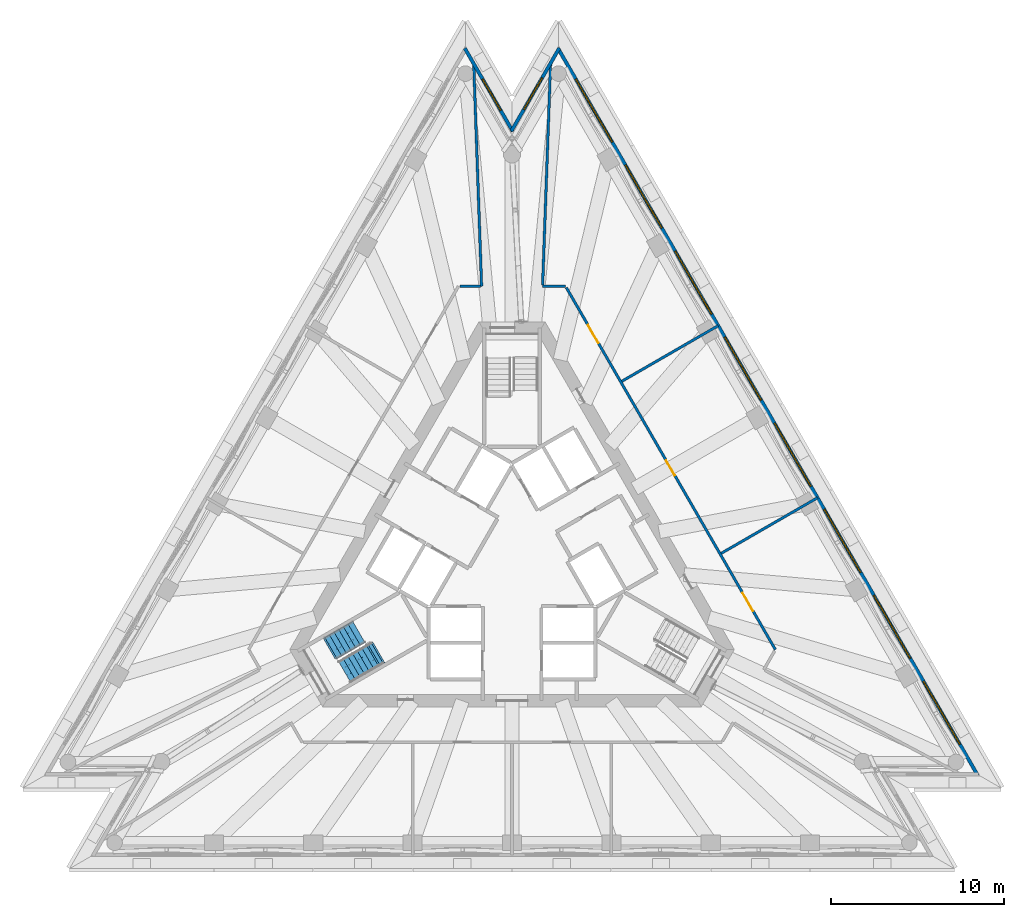
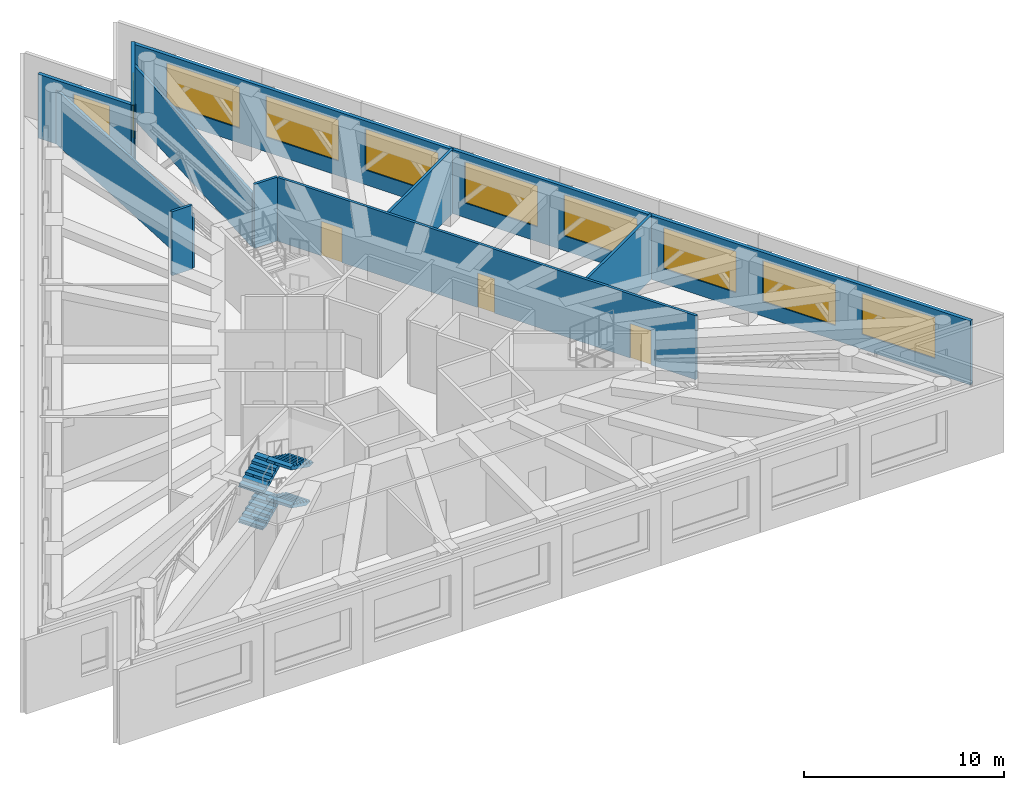
# One storey, part 9 of 12: 10 walls, 10 windows, 4 stair flights, 3 doors, 13 openings, 1 element without a shape of its own.
"""IFC4 building model written with IfcOpenShell, lengths in metres."""

from ifc_helpers import new_model, si_unit, direction, frame, frame_2d, origin, place, context, subcontext, project, spatial, polyline, rectangle, outline, extrude, material, layer, layer_set, layer_usage, type_object, element, fill, aggregate, save


model = new_model("IFC4")

# Units and contexts
model_context = context("Model", 3, precision=1e-05, world=origin(), true_north=direction((0.0, 1.0)))
body_context = subcontext(model_context, "Body", "Model", "MODEL_VIEW")
ifc_project = project(units=[si_unit("LENGTHUNIT", "METRE"), si_unit("AREAUNIT", "SQUARE_METRE"), si_unit("VOLUMEUNIT", "CUBIC_METRE"), si_unit("PLANEANGLEUNIT", "RADIAN"), si_unit("MASSUNIT", "GRAM", prefix="KILO")], contexts=[model_context])

# Site, building, storey
site_placement = place(None, origin())
site = spatial("IfcSite", under=ifc_project, at=site_placement, CompositionType="ELEMENT")
building_placement = place(site_placement, origin())
building = spatial("IfcBuilding", under=site, at=building_placement, Name="Triada Interchange Tower", CompositionType="ELEMENT")
storey_placement = place(building_placement, frame((0.0, 0.0, 251.300048828125)))
storey = spatial("IfcBuildingStorey", under=building, at=storey_placement, Name="L59", CompositionType="ELEMENT", Elevation=251.300048828125)

# Wall, openings, windows
ifc_material_1 = material(Name="Cement board")
ifc_layer_1 = layer(ifc_material_1, 0.02001953125, Name="Cement board cladding")
ifc_material_2 = material(Name="Sheathing board")
ifc_layer_2 = layer(ifc_material_2, 0.014892578125, Name="Sheathing board")
ifc_material_3 = material(Name="Mineral wool")
ifc_layer_3 = layer(ifc_material_3, 0.14990234375, Name="Mineral wool between steel studs")
ifc_material_4 = material(Name="Gypsum board")
ifc_layer_4 = layer(ifc_material_4, 0.014892578125, Name="Plasterboard lining")
ifc_layer_set_1 = layer_set([ifc_layer_1, ifc_layer_2, ifc_layer_3, ifc_layer_4], Name="External wall 200")
ifc_layer_usage = layer_usage(ifc_layer_set_1, "AXIS2", "POSITIVE", -0.10009765625)
wall_type_1 = type_object("IfcWallType", Name="External wall 200", PredefinedType="ELEMENTEDWALL", material=ifc_layer_set_1)
wall_1_placement = place(storey_placement, frame((26.85888671875, -12.45703125, 0.0), z_axis=(0.0, 0.0, 1.0), x_axis=(-0.500004868955, 0.866022592674, 0.0)))
wall_1 = element("IfcWall", 1, at=wall_1_placement, inside=storey, type_object=wall_type_1, material=ifc_layer_usage, Name="External wall L59 NE", PredefinedType="ELEMENTEDWALL", context=body_context, shape_type="SweptSolid", body=[
    extrude(rectangle(XDim=48.41552734375, YDim=0.199951171875, at=frame_2d((24.207763671875, 0.0))), origin(), (0.0, 0.0, 1.0), 3.89990234375),
])
opening_1_placement = place(wall_1_placement, frame((2.06689453125, 0.0, 0.89990234375)))
opening_1 = element("IfcOpeningElement", 2, at=opening_1_placement, cuts=wall_1, Name="Opening WC21", PredefinedType="OPENING", context=body_context, shape_type="SweptSolid", body=[
    extrude(rectangle(XDim=4.199951171875, YDim=2.5, at=frame_2d((2.10009765625, 1.25))), frame((0.0, 0.10986328125, 0.0), z_axis=(0.0, -1.0, 0.0), x_axis=(1.0, 0.0, 0.0)), (0.0, 0.0, 1.0), 0.219970703125),
])
opening_2_placement = place(wall_1_placement, frame((7.7958984375, 0.0, 0.89990234375)))
opening_2 = element("IfcOpeningElement", 3, at=opening_2_placement, cuts=wall_1, Name="Opening WC22", PredefinedType="OPENING", context=body_context, shape_type="SweptSolid", body=[
    extrude(rectangle(XDim=4.199951171875, YDim=2.5, at=frame_2d((2.10009765625, 1.25))), frame((0.0, 0.10986328125, 0.0), z_axis=(0.0, -1.0, 0.0), x_axis=(1.0, 0.0, 0.0)), (0.0, 0.0, 1.0), 0.219970703125),
])
opening_3_placement = place(wall_1_placement, frame((13.52490234375, 0.0, 0.89990234375)))
opening_3 = element("IfcOpeningElement", 4, at=opening_3_placement, cuts=wall_1, Name="Opening WC23", PredefinedType="OPENING", context=body_context, shape_type="SweptSolid", body=[
    extrude(rectangle(XDim=4.199951171875, YDim=2.5, at=frame_2d((2.10009765625, 1.25))), frame((0.0, 0.10986328125, 0.0), z_axis=(0.0, -1.0, 0.0), x_axis=(1.0, 0.0, 0.0)), (0.0, 0.0, 1.0), 0.219970703125),
])
opening_4_placement = place(wall_1_placement, frame((19.2529296875, 0.0, 0.89990234375)))
opening_4 = element("IfcOpeningElement", 5, at=opening_4_placement, cuts=wall_1, Name="Opening WC24", PredefinedType="OPENING", context=body_context, shape_type="SweptSolid", body=[
    extrude(rectangle(XDim=4.199951171875, YDim=2.5, at=frame_2d((2.10009765625, 1.25))), frame((0.0, 0.10986328125, 0.0), z_axis=(0.0, -1.0, 0.0), x_axis=(1.0, 0.0, 0.0)), (0.0, 0.0, 1.0), 0.219970703125),
])
opening_5_placement = place(wall_1_placement, frame((24.98193359375, 0.0, 0.89990234375)))
opening_5 = element("IfcOpeningElement", 6, at=opening_5_placement, cuts=wall_1, Name="Opening WC25", PredefinedType="OPENING", context=body_context, shape_type="SweptSolid", body=[
    extrude(rectangle(XDim=4.199951171875, YDim=2.5, at=frame_2d((2.10009765625, 1.25))), frame((0.0, 0.10986328125, 0.0), z_axis=(0.0, -1.0, 0.0), x_axis=(1.0, 0.0, 0.0)), (0.0, 0.0, 1.0), 0.219970703125),
])
opening_6_placement = place(wall_1_placement, frame((30.7109375, 0.0, 0.89990234375)))
opening_6 = element("IfcOpeningElement", 7, at=opening_6_placement, cuts=wall_1, Name="Opening WC26", PredefinedType="OPENING", context=body_context, shape_type="SweptSolid", body=[
    extrude(rectangle(XDim=4.199951171875, YDim=2.5, at=frame_2d((2.10009765625, 1.25))), frame((0.0, 0.10986328125, 0.0), z_axis=(0.0, -1.0, 0.0), x_axis=(1.0, 0.0, 0.0)), (0.0, 0.0, 1.0), 0.219970703125),
])
opening_7_placement = place(wall_1_placement, frame((36.43994140625, 0.0, 0.89990234375)))
opening_7 = element("IfcOpeningElement", 8, at=opening_7_placement, cuts=wall_1, Name="Opening WC27", PredefinedType="OPENING", context=body_context, shape_type="SweptSolid", body=[
    extrude(rectangle(XDim=4.199951171875, YDim=2.5, at=frame_2d((2.10009765625, 1.25))), frame((0.0, 0.10986328125, 0.0), z_axis=(0.0, -1.0, 0.0), x_axis=(1.0, 0.0, 0.0)), (0.0, 0.0, 1.0), 0.219970703125),
])
opening_8_placement = place(wall_1_placement, frame((42.16796875, 0.0, 0.89990234375)))
opening_8 = element("IfcOpeningElement", 9, at=opening_8_placement, cuts=wall_1, Name="Opening WC28", PredefinedType="OPENING", context=body_context, shape_type="SweptSolid", body=[
    extrude(rectangle(XDim=4.199951171875, YDim=2.5, at=frame_2d((2.10009765625, 1.25))), frame((0.0, 0.10986328125, 0.0), z_axis=(0.0, -1.0, 0.0), x_axis=(1.0, 0.0, 0.0)), (0.0, 0.0, 1.0), 0.219970703125),
])
ifc_material_5 = material(Name="Double glazed aluminium window", Category="aluminium")
window_type_1 = type_object("IfcWindowType", Name="Ribbon window C face", PartitioningType="SINGLE_PANEL", PredefinedType="WINDOW", material=ifc_material_5)
window_1_placement = place(opening_1_placement, origin())
window_1 = element("IfcWindow", 10, at=window_1_placement, inside=storey, type_object=window_type_1, Name="Window L59 NE 1", OverallHeight=2.5, OverallWidth=4.199951171875, PartitioningType="SINGLE_PANEL", PredefinedType="WINDOW", context=body_context, shape_type="SweptSolid", body=[
    extrude(rectangle(XDim=4.199951171875, YDim=2.5, at=frame_2d((2.10009765625, 1.25))), frame((0.0, 0.030029296875, 0.0), z_axis=(0.0, -1.0, 0.0), x_axis=(1.0, 0.0, 0.0)), (0.0, 0.0, 1.0), 0.06005859375),
])
fill(opening_1, window_1)
window_2_placement = place(opening_2_placement, origin())
window_2 = element("IfcWindow", 11, at=window_2_placement, inside=storey, type_object=window_type_1, Name="Window L59 NE 2", OverallHeight=2.5, OverallWidth=4.199951171875, PartitioningType="SINGLE_PANEL", PredefinedType="WINDOW", context=body_context, shape_type="SweptSolid", body=[
    extrude(rectangle(XDim=4.199951171875, YDim=2.5, at=frame_2d((2.10009765625, 1.25))), frame((0.0, 0.030029296875, 0.0), z_axis=(0.0, -1.0, 0.0), x_axis=(1.0, 0.0, 0.0)), (0.0, 0.0, 1.0), 0.06005859375),
])
fill(opening_2, window_2)
window_3_placement = place(opening_3_placement, origin())
window_3 = element("IfcWindow", 12, at=window_3_placement, inside=storey, type_object=window_type_1, Name="Window L59 NE 3", OverallHeight=2.5, OverallWidth=4.199951171875, PartitioningType="SINGLE_PANEL", PredefinedType="WINDOW", context=body_context, shape_type="SweptSolid", body=[
    extrude(rectangle(XDim=4.199951171875, YDim=2.5, at=frame_2d((2.10009765625, 1.25))), frame((0.0, 0.030029296875, 0.0), z_axis=(0.0, -1.0, 0.0), x_axis=(1.0, 0.0, 0.0)), (0.0, 0.0, 1.0), 0.06005859375),
])
fill(opening_3, window_3)
window_4_placement = place(opening_4_placement, origin())
window_4 = element("IfcWindow", 13, at=window_4_placement, inside=storey, type_object=window_type_1, Name="Window L59 NE 4", OverallHeight=2.5, OverallWidth=4.199951171875, PartitioningType="SINGLE_PANEL", PredefinedType="WINDOW", context=body_context, shape_type="SweptSolid", body=[
    extrude(rectangle(XDim=4.199951171875, YDim=2.5, at=frame_2d((2.10009765625, 1.25))), frame((0.0, 0.030029296875, 0.0), z_axis=(0.0, -1.0, 0.0), x_axis=(1.0, 0.0, 0.0)), (0.0, 0.0, 1.0), 0.06005859375),
])
fill(opening_4, window_4)
window_5_placement = place(opening_5_placement, origin())
window_5 = element("IfcWindow", 14, at=window_5_placement, inside=storey, type_object=window_type_1, Name="Window L59 NE 5", OverallHeight=2.5, OverallWidth=4.199951171875, PartitioningType="SINGLE_PANEL", PredefinedType="WINDOW", context=body_context, shape_type="SweptSolid", body=[
    extrude(rectangle(XDim=4.199951171875, YDim=2.5, at=frame_2d((2.10009765625, 1.25))), frame((0.0, 0.030029296875, 0.0), z_axis=(0.0, -1.0, 0.0), x_axis=(1.0, 0.0, 0.0)), (0.0, 0.0, 1.0), 0.06005859375),
])
fill(opening_5, window_5)
window_6_placement = place(opening_6_placement, origin())
window_6 = element("IfcWindow", 15, at=window_6_placement, inside=storey, type_object=window_type_1, Name="Window L59 NE 6", OverallHeight=2.5, OverallWidth=4.199951171875, PartitioningType="SINGLE_PANEL", PredefinedType="WINDOW", context=body_context, shape_type="SweptSolid", body=[
    extrude(rectangle(XDim=4.199951171875, YDim=2.5, at=frame_2d((2.10009765625, 1.25))), frame((0.0, 0.030029296875, 0.0), z_axis=(0.0, -1.0, 0.0), x_axis=(1.0, 0.0, 0.0)), (0.0, 0.0, 1.0), 0.06005859375),
])
fill(opening_6, window_6)
window_7_placement = place(opening_7_placement, origin())
window_7 = element("IfcWindow", 16, at=window_7_placement, inside=storey, type_object=window_type_1, Name="Window L59 NE 7", OverallHeight=2.5, OverallWidth=4.199951171875, PartitioningType="SINGLE_PANEL", PredefinedType="WINDOW", context=body_context, shape_type="SweptSolid", body=[
    extrude(rectangle(XDim=4.199951171875, YDim=2.5, at=frame_2d((2.10009765625, 1.25))), frame((0.0, 0.030029296875, 0.0), z_axis=(0.0, -1.0, 0.0), x_axis=(1.0, 0.0, 0.0)), (0.0, 0.0, 1.0), 0.06005859375),
])
fill(opening_7, window_7)
window_8_placement = place(opening_8_placement, origin())
window_8 = element("IfcWindow", 17, at=window_8_placement, inside=storey, type_object=window_type_1, Name="Window L59 NE 8", OverallHeight=2.5, OverallWidth=4.199951171875, PartitioningType="SINGLE_PANEL", PredefinedType="WINDOW", context=body_context, shape_type="SweptSolid", body=[
    extrude(rectangle(XDim=4.199951171875, YDim=2.5, at=frame_2d((2.10009765625, 1.25))), frame((0.0, 0.030029296875, 0.0), z_axis=(0.0, -1.0, 0.0), x_axis=(1.0, 0.0, 0.0)), (0.0, 0.0, 1.0), 0.06005859375),
])
fill(opening_8, window_8)

# Wall, opening, window
wall_2_placement = place(storey_placement, frame((2.73095703125, 29.489013671875, 0.0), z_axis=(0.0, 0.0, 1.0), x_axis=(-0.499969493036, -0.866043016272, 0.0)))
wall_2 = element("IfcWall", 18, at=wall_2_placement, inside=storey, type_object=wall_type_1, material=ifc_layer_usage, Name="External wall L59 N-1", PredefinedType="ELEMENTEDWALL", context=body_context, shape_type="SweptSolid", body=[
    extrude(rectangle(XDim=5.531982421875, YDim=0.199951171875, at=frame_2d((2.76611328125, 0.0))), origin(), (0.0, 0.0, 1.0), 3.89990234375),
])
opening_9_placement = place(wall_2_placement, frame((1.989990234375, 0.0, 0.89990234375)))
opening_9 = element("IfcOpeningElement", 19, at=opening_9_placement, cuts=wall_2, Name="Opening WC29", PredefinedType="OPENING", context=body_context, shape_type="SweptSolid", body=[
    extrude(rectangle(XDim=2.10009765625, YDim=2.5, at=frame_2d((1.050048828125, 1.25))), frame((0.0, 0.10986328125, 0.0), z_axis=(0.0, -1.0, 0.0), x_axis=(1.0, 0.0, 0.0)), (0.0, 0.0, 1.0), 0.219970703125),
])
window_type_2 = type_object("IfcWindowType", Name="Ribbon window C pocket", PartitioningType="SINGLE_PANEL", PredefinedType="WINDOW", material=ifc_material_5)
window_9_placement = place(opening_9_placement, origin())
window_9 = element("IfcWindow", 20, at=window_9_placement, inside=storey, type_object=window_type_2, Name="Window L59 N-1 1", OverallHeight=2.5, OverallWidth=2.10009765625, PartitioningType="SINGLE_PANEL", PredefinedType="WINDOW", context=body_context, shape_type="SweptSolid", body=[
    extrude(rectangle(XDim=2.10009765625, YDim=2.5, at=frame_2d((1.050048828125, 1.25))), frame((0.0, 0.030029296875, 0.0), z_axis=(0.0, -1.0, 0.0), x_axis=(1.0, 0.0, 0.0)), (0.0, 0.0, 1.0), 0.06005859375),
])
fill(opening_9, window_9)

wall_3_placement = place(storey_placement, frame((0.044921875, 24.680908203125, 0.0), z_axis=(0.0, 0.0, 1.0), x_axis=(-0.499969493036, 0.866043016272, 0.0)))
wall_3 = element("IfcWall", 21, at=wall_3_placement, inside=storey, type_object=wall_type_1, material=ifc_layer_usage, Name="External wall L59 N-2", PredefinedType="ELEMENTEDWALL", context=body_context, shape_type="SweptSolid", body=[
    extrude(rectangle(XDim=5.531982421875, YDim=0.199951171875, at=frame_2d((2.76611328125, 0.0))), origin(), (0.0, 0.0, 1.0), 3.89990234375),
])
opening_10_placement = place(wall_3_placement, frame((1.389892578125, 0.0, 0.89990234375)))
opening_10 = element("IfcOpeningElement", 22, at=opening_10_placement, cuts=wall_3, Name="Opening WC30", PredefinedType="OPENING", context=body_context, shape_type="SweptSolid", body=[
    extrude(rectangle(XDim=2.10009765625, YDim=2.5, at=frame_2d((1.050048828125, 1.25))), frame((0.0, 0.10986328125, 0.0), z_axis=(0.0, -1.0, 0.0), x_axis=(1.0, 0.0, 0.0)), (0.0, 0.0, 1.0), 0.219970703125),
])
window_10_placement = place(opening_10_placement, origin())
window_10 = element("IfcWindow", 23, at=window_10_placement, inside=storey, type_object=window_type_2, Name="Window L59 N-2 1", OverallHeight=2.5, OverallWidth=2.10009765625, PartitioningType="SINGLE_PANEL", PredefinedType="WINDOW", context=body_context, shape_type="SweptSolid", body=[
    extrude(rectangle(XDim=2.10009765625, YDim=2.5, at=frame_2d((1.050048828125, 1.25))), frame((0.0, 0.030029296875, 0.0), z_axis=(0.0, -1.0, 0.0), x_axis=(1.0, 0.0, 0.0)), (0.0, 0.0, 1.0), 0.06005859375),
])
fill(opening_10, window_10)

# Walls
ifc_material_6 = material(Name="Gypsum board partition")
ifc_layer_5 = layer(ifc_material_6, 0.14990234375)
ifc_layer_set_2 = layer_set([ifc_layer_5], Name="PARTITION 150 EI 180")
wall_type_2 = type_object("IfcWallType", Name="PARTITION 150 EI 180", PredefinedType="PARTITIONING", material=ifc_layer_set_2)
wall_4_placement = place(storey_placement, frame((-2.2060546875, 28.5791015625, 0.0), z_axis=(0.0, 0.0, 1.0), x_axis=(0.035222098869, -0.999379509371, 0.0)))
element("IfcWall", 24, at=wall_4_placement, inside=storey, type_object=wall_type_2, Name="Wall L59 9", PredefinedType="PARTITIONING", context=body_context, shape_type="SweptSolid", body=[
    extrude(rectangle(XDim=12.837158203125, YDim=0.14990234375, at=frame_2d((6.41845703125, 0.0))), origin(), (0.0, 0.0, 1.0), 3.300048828125),
])
wall_5_placement = place(storey_placement, frame((-3.001953125, 15.75, 0.0), z_axis=(0.0, 0.0, 1.0), x_axis=(1.0, 0.0, 0.0)))
element("IfcWall", 25, at=wall_5_placement, inside=storey, type_object=wall_type_2, Name="Wall L59 10", PredefinedType="PARTITIONING", context=body_context, shape_type="SweptSolid", body=[
    extrude(rectangle(XDim=1.1728515625, YDim=0.14990234375, at=frame_2d((0.58642578125, 0.0))), origin(), (0.0, 0.0, 1.0), 3.89990234375),
])
wall_6_placement = place(storey_placement, frame((1.762939453125, 15.75, 0.0), z_axis=(0.0, 0.0, 1.0), x_axis=(1.0, 0.0, 0.0)))
element("IfcWall", 26, at=wall_6_placement, inside=storey, type_object=wall_type_2, Name="Wall L59 11", PredefinedType="PARTITIONING", context=body_context, shape_type="SweptSolid", body=[
    extrude(rectangle(XDim=1.326171875, YDim=0.14990234375, at=frame_2d((0.6630859375, 0.0))), origin(), (0.0, 0.0, 1.0), 3.89990234375),
])

# Wall, openings, doors
wall_7_placement = place(storey_placement, frame((3.132080078125, 15.675048828125, 0.0), z_axis=(0.0, 0.0, 1.0), x_axis=(0.499994246357, -0.866028725626, 0.0)))
wall_7 = element("IfcWall", 27, at=wall_7_placement, inside=storey, type_object=wall_type_2, Name="Wall L59 14", PredefinedType="PARTITIONING", context=body_context, shape_type="SweptSolid", body=[
    extrude(rectangle(XDim=24.104248046875, YDim=0.14990234375, at=frame_2d((12.05224609375, 0.0))), origin(), (0.0, 0.0, 1.0), 3.89990234375),
])
opening_11_placement = place(wall_7_placement, frame((20.321044921875, 0.0, 0.0)))
opening_11 = element("IfcOpeningElement", 28, at=opening_11_placement, cuts=wall_7, Name="Opening D59-11", PredefinedType="OPENING", context=body_context, shape_type="SweptSolid", body=[
    extrude(rectangle(XDim=1.199951171875, YDim=2.10009765625, at=frame_2d((0.60009765625, 1.050048828125))), frame((0.0, 0.0849609375, 0.0), z_axis=(0.0, -1.0, 0.0), x_axis=(1.0, 0.0, 0.0)), (0.0, 0.0, 1.0), 0.169921875),
])
opening_12_placement = place(wall_7_placement, frame((11.508056640625, 0.0, 0.0)))
opening_12 = element("IfcOpeningElement", 29, at=opening_12_placement, cuts=wall_7, Name="Opening D59-12", PredefinedType="OPENING", context=body_context, shape_type="SweptSolid", body=[
    extrude(rectangle(XDim=1.0, YDim=2.10009765625, at=frame_2d((0.5, 1.050048828125))), frame((0.0, 0.0849609375, 0.0), z_axis=(0.0, -1.0, 0.0), x_axis=(1.0, 0.0, 0.0)), (0.0, 0.0, 1.0), 0.169921875),
])
opening_13_placement = place(wall_7_placement, frame((2.4970703125, 0.0, 0.0)))
opening_13 = element("IfcOpeningElement", 30, at=opening_13_placement, cuts=wall_7, Name="Opening D59-13", PredefinedType="OPENING", context=body_context, shape_type="SweptSolid", body=[
    extrude(rectangle(XDim=1.199951171875, YDim=2.10009765625, at=frame_2d((0.60009765625, 1.050048828125))), frame((0.0, 0.0849609375, 0.0), z_axis=(0.0, -1.0, 0.0), x_axis=(1.0, 0.0, 0.0)), (0.0, 0.0, 1.0), 0.169921875),
])
ifc_material_7 = material(Name="Steel S235 door leaf", Category="steel")
door_type_1 = type_object("IfcDoorType", Name="DOUBLE ROOM DOOR 1200 EI2 45-C5S200", OperationType="DOUBLE_DOOR_SINGLE_SWING", PredefinedType="DOOR", material=ifc_material_7)
door_1_placement = place(opening_11_placement, origin())
door_1 = element("IfcDoor", 31, at=door_1_placement, inside=storey, type_object=door_type_1, Name="Door D59-11 L59", OperationType="DOUBLE_DOOR_SINGLE_SWING", OverallHeight=2.10009765625, OverallWidth=1.199951171875, PredefinedType="DOOR", context=body_context, shape_type="SweptSolid", body=[
    extrude(rectangle(XDim=1.199951171875, YDim=2.10009765625, at=frame_2d((0.60009765625, 1.050048828125))), frame((0.0, 0.02490234375, 0.0), z_axis=(0.0, -1.0, 0.0), x_axis=(1.0, 0.0, 0.0)), (0.0, 0.0, 1.0), 0.050048828125),
])
fill(opening_11, door_1)
door_2_placement = place(opening_13_placement, origin())
door_2 = element("IfcDoor", 32, at=door_2_placement, inside=storey, type_object=door_type_1, Name="Door D59-13 L59", OperationType="DOUBLE_DOOR_SINGLE_SWING", OverallHeight=2.10009765625, OverallWidth=1.199951171875, PredefinedType="DOOR", context=body_context, shape_type="SweptSolid", body=[
    extrude(rectangle(XDim=1.199951171875, YDim=2.10009765625, at=frame_2d((0.60009765625, 1.050048828125))), frame((0.0, 0.02490234375, 0.0), z_axis=(0.0, -1.0, 0.0), x_axis=(1.0, 0.0, 0.0)), (0.0, 0.0, 1.0), 0.050048828125),
])
fill(opening_13, door_2)
door_type_2 = type_object("IfcDoorType", Name="ROOM DOOR 1000 EI2 45-C5S200", OperationType="NOTDEFINED", PredefinedType="DOOR", material=ifc_material_7)
door_3_placement = place(opening_12_placement, origin())
door_3 = element("IfcDoor", 33, at=door_3_placement, inside=storey, type_object=door_type_2, Name="Door D59-12 L59", OperationType="SINGLE_SWING_LEFT", OverallHeight=2.10009765625, OverallWidth=1.0, PredefinedType="DOOR", context=body_context, shape_type="SweptSolid", body=[
    extrude(rectangle(XDim=1.0, YDim=2.10009765625, at=frame_2d((0.5, 1.050048828125))), frame((0.0, 0.02490234375, 0.0), z_axis=(0.0, -1.0, 0.0), x_axis=(1.0, 0.0, 0.0)), (0.0, 0.0, 1.0), 0.050048828125),
])
fill(opening_12, door_3)

# Walls
wall_8_placement = place(storey_placement, frame((1.76611328125, 15.824951171875, 0.0), z_axis=(0.0, 0.0, 1.0), x_axis=(0.035705144184, 0.999362368052, 0.0)))
element("IfcWall", 34, at=wall_8_placement, inside=storey, type_object=wall_type_2, Name="Wall L59 15", PredefinedType="PARTITIONING", context=body_context, shape_type="SweptSolid", body=[
    extrude(rectangle(XDim=12.793212890625, YDim=0.14990234375, at=frame_2d((6.396484375, 0.0))), origin(), (0.0, 0.0, 1.0), 3.300048828125),
])
for number, where, z_axis, x_axis, name in (
    (35, (6.3369140625, 10.27392578125, 0.0), (0.0, 0.0, 1.0), (0.866030104553, 0.499991857942, 0.0), "Wall L59 20"),
    (36, (12.06591796875, 0.35205078125, 0.0), (0.0, 0.0, 1.0), (0.866046605956, 0.499963274963, 0.0), "Wall L59 21"),
):
    element("IfcWall", number, at=place(storey_placement, frame(where, z_axis=z_axis, x_axis=x_axis)), inside=storey, type_object=wall_type_2, Name=name, PredefinedType="PARTITIONING", context=body_context, shape_type="SweptSolid", body=[
        extrude(rectangle(XDim=6.40625, YDim=0.14990234375, at=frame_2d((3.203125, 0.0))), origin(), (0.0, 0.0, 1.0), 3.89990234375),
    ])

# Stair, stair flights
ifc_material_8 = material(Name="Concrete C35/45", Category="concrete")
stair_type = type_object("IfcStairType", Name="HALF TURN STAIR 1400", PredefinedType="HALF_TURN_STAIR", material=ifc_material_8)
stair_placement = place(storey_placement, origin())
stair = element("IfcStair", 37, at=stair_placement, inside=storey, type_object=stair_type, Name="Exit stair S59-2", PredefinedType="HALF_TURN_STAIR")
stair_flight_type = type_object("IfcStairFlightType", Name="STRAIGHT STAIR FLIGHT 1400", PredefinedType="STRAIGHT", material=ifc_material_8)
stair_flight_1_placement = place(storey_placement, frame((-10.446044921875, -5.10693359375, 0.0), z_axis=(0.0, 0.0, 1.0), x_axis=(0.866025403784, 0.5, 0.0)))
stair_flight_1 = element("IfcStairFlight", 38, at=stair_flight_1_placement, type_object=stair_flight_type, Name="S59-2 flight 1", NumberOfRisers=7, NumberOfTreads=6, PredefinedType="STRAIGHT", RiserHeight=0.15517, TreadLength=0.31, context=body_context, shape_type="SweptSolid", body=[
    extrude(outline(polyline([(-0.10009765625, 0.0), (-0.10009765625, 0.02001953125), (0.0, 0.02001953125), (0.0, 0.1552734375), (0.31005859375, 0.1552734375), (0.31005859375, 0.310302734375), (0.6201171875, 0.310302734375), (0.6201171875, 0.465576171875), (0.929931640625, 0.465576171875), (0.929931640625, 0.62060546875), (1.239990234375, 0.62060546875), (1.239990234375, 0.77587890625), (1.550048828125, 0.77587890625), (1.550048828125, 0.930908203125), (1.860107421875, 0.930908203125), (1.864013671875, 0.930908203125), (1.864013671875, 1.086181640625), (1.864013671875, 0.763427734375), (0.3349609375, 0.0), (-0.10009765625, 0.0)])), frame((0.0, 0.699951171875, 0.0), z_axis=(0.0, -1.0, 0.0), x_axis=(1.0, 0.0, 0.0)), (0.0, 0.0, 1.0), 0.46533203125),
    extrude(outline(polyline([(-0.10009765625, 0.0), (-0.10009765625, 0.02001953125), (0.0, 0.02001953125), (0.0, 0.1552734375), (0.31005859375, 0.1552734375), (0.31005859375, 0.310302734375), (0.6201171875, 0.310302734375), (0.6201171875, 0.465576171875), (0.929931640625, 0.465576171875), (0.929931640625, 0.62060546875), (1.239990234375, 0.62060546875), (1.239990234375, 0.77587890625), (1.550048828125, 0.77587890625), (1.550048828125, 0.930908203125), (1.860107421875, 0.930908203125), (1.864013671875, 0.930908203125), (1.864013671875, 1.086181640625), (1.864013671875, 0.763427734375), (0.3349609375, 0.0), (-0.10009765625, 0.0)])), frame((0.0, 0.232666015625, 0.0), z_axis=(0.0, -1.0, 0.0), x_axis=(1.0, 0.0, 0.0)), (0.0, 0.0, 1.0), 0.46533203125),
    extrude(outline(polyline([(-0.10009765625, 0.0), (-0.10009765625, 0.02001953125), (0.0, 0.02001953125), (0.0, 0.1552734375), (0.31005859375, 0.1552734375), (0.31005859375, 0.310302734375), (0.6201171875, 0.310302734375), (0.6201171875, 0.465576171875), (0.929931640625, 0.465576171875), (0.929931640625, 0.62060546875), (1.239990234375, 0.62060546875), (1.239990234375, 0.77587890625), (1.550048828125, 0.77587890625), (1.550048828125, 0.930908203125), (1.860107421875, 0.930908203125), (1.864013671875, 0.930908203125), (1.864013671875, 1.086181640625), (1.864013671875, 0.763427734375), (0.3349609375, 0.0), (-0.10009765625, 0.0)])), frame((0.0, -0.234619140625, 0.0), z_axis=(0.0, -1.0, 0.0), x_axis=(1.0, 0.0, 0.0)), (0.0, 0.0, 1.0), 0.46533203125),
])
stair_flight_2_placement = place(storey_placement, frame((-8.034912109375, -5.56298828125, 1.086181640625), z_axis=(0.0, 0.0, 1.0), x_axis=(-0.866025403784, -0.5, 0.0)))
stair_flight_2 = element("IfcStairFlight", 39, at=stair_flight_2_placement, type_object=stair_flight_type, Name="S59-2 flight 2", NumberOfRisers=7, NumberOfTreads=6, PredefinedType="STRAIGHT", RiserHeight=0.15517, TreadLength=0.31, context=body_context, shape_type="SweptSolid", body=[
    extrude(outline(polyline([(-0.10009765625, 0.0), (-0.10009765625, 0.02001953125), (0.0, 0.02001953125), (0.0, 0.1552734375), (0.31005859375, 0.1552734375), (0.31005859375, 0.310302734375), (0.6201171875, 0.310302734375), (0.6201171875, 0.465576171875), (0.929931640625, 0.465576171875), (0.929931640625, 0.62060546875), (1.239990234375, 0.62060546875), (1.239990234375, 0.77587890625), (1.550048828125, 0.77587890625), (1.550048828125, 0.930908203125), (1.860107421875, 0.930908203125), (1.864013671875, 0.930908203125), (1.864013671875, 1.086181640625), (1.864013671875, 0.763427734375), (0.3349609375, 0.0), (-0.10009765625, 0.0)])), frame((0.0, 0.699951171875, 0.0), z_axis=(0.0, -1.0, 0.0), x_axis=(1.0, 0.0, 0.0)), (0.0, 0.0, 1.0), 0.46533203125),
    extrude(outline(polyline([(-0.10009765625, 0.0), (-0.10009765625, 0.02001953125), (0.0, 0.02001953125), (0.0, 0.1552734375), (0.31005859375, 0.1552734375), (0.31005859375, 0.310302734375), (0.6201171875, 0.310302734375), (0.6201171875, 0.465576171875), (0.929931640625, 0.465576171875), (0.929931640625, 0.62060546875), (1.239990234375, 0.62060546875), (1.239990234375, 0.77587890625), (1.550048828125, 0.77587890625), (1.550048828125, 0.930908203125), (1.860107421875, 0.930908203125), (1.864013671875, 0.930908203125), (1.864013671875, 1.086181640625), (1.864013671875, 0.763427734375), (0.3349609375, 0.0), (-0.10009765625, 0.0)])), frame((0.0, 0.232666015625, 0.0), z_axis=(0.0, -1.0, 0.0), x_axis=(1.0, 0.0, 0.0)), (0.0, 0.0, 1.0), 0.46533203125),
    extrude(outline(polyline([(-0.10009765625, 0.0), (-0.10009765625, 0.02001953125), (0.0, 0.02001953125), (0.0, 0.1552734375), (0.31005859375, 0.1552734375), (0.31005859375, 0.310302734375), (0.6201171875, 0.310302734375), (0.6201171875, 0.465576171875), (0.929931640625, 0.465576171875), (0.929931640625, 0.62060546875), (1.239990234375, 0.62060546875), (1.239990234375, 0.77587890625), (1.550048828125, 0.77587890625), (1.550048828125, 0.930908203125), (1.860107421875, 0.930908203125), (1.864013671875, 0.930908203125), (1.864013671875, 1.086181640625), (1.864013671875, 0.763427734375), (0.3349609375, 0.0), (-0.10009765625, 0.0)])), frame((0.0, -0.234619140625, 0.0), z_axis=(0.0, -1.0, 0.0), x_axis=(1.0, 0.0, 0.0)), (0.0, 0.0, 1.0), 0.46533203125),
])
stair_flight_3_placement = place(storey_placement, frame((-10.446044921875, -5.10693359375, 2.17236328125), z_axis=(0.0, 0.0, 1.0), x_axis=(0.866025403784, 0.5, 0.0)))
stair_flight_3 = element("IfcStairFlight", 40, at=stair_flight_3_placement, type_object=stair_flight_type, Name="S59-2 flight 3", NumberOfRisers=7, NumberOfTreads=6, PredefinedType="STRAIGHT", RiserHeight=0.15517, TreadLength=0.31, context=body_context, shape_type="SweptSolid", body=[
    extrude(outline(polyline([(-0.10009765625, 0.0), (-0.10009765625, 0.02001953125), (0.0, 0.02001953125), (0.0, 0.1552734375), (0.31005859375, 0.1552734375), (0.31005859375, 0.310302734375), (0.6201171875, 0.310302734375), (0.6201171875, 0.465576171875), (0.929931640625, 0.465576171875), (0.929931640625, 0.62060546875), (1.239990234375, 0.62060546875), (1.239990234375, 0.77587890625), (1.550048828125, 0.77587890625), (1.550048828125, 0.930908203125), (1.860107421875, 0.930908203125), (1.864013671875, 0.930908203125), (1.864013671875, 1.086181640625), (1.864013671875, 0.763427734375), (0.3349609375, 0.0), (-0.10009765625, 0.0)])), frame((0.0, 0.699951171875, 0.0), z_axis=(0.0, -1.0, 0.0), x_axis=(1.0, 0.0, 0.0)), (0.0, 0.0, 1.0), 0.46533203125),
    extrude(outline(polyline([(-0.10009765625, 0.0), (-0.10009765625, 0.02001953125), (0.0, 0.02001953125), (0.0, 0.1552734375), (0.31005859375, 0.1552734375), (0.31005859375, 0.310302734375), (0.6201171875, 0.310302734375), (0.6201171875, 0.465576171875), (0.929931640625, 0.465576171875), (0.929931640625, 0.62060546875), (1.239990234375, 0.62060546875), (1.239990234375, 0.77587890625), (1.550048828125, 0.77587890625), (1.550048828125, 0.930908203125), (1.860107421875, 0.930908203125), (1.864013671875, 0.930908203125), (1.864013671875, 1.086181640625), (1.864013671875, 0.763427734375), (0.3349609375, 0.0), (-0.10009765625, 0.0)])), frame((0.0, 0.232666015625, 0.0), z_axis=(0.0, -1.0, 0.0), x_axis=(1.0, 0.0, 0.0)), (0.0, 0.0, 1.0), 0.46533203125),
    extrude(outline(polyline([(-0.10009765625, 0.0), (-0.10009765625, 0.02001953125), (0.0, 0.02001953125), (0.0, 0.1552734375), (0.31005859375, 0.1552734375), (0.31005859375, 0.310302734375), (0.6201171875, 0.310302734375), (0.6201171875, 0.465576171875), (0.929931640625, 0.465576171875), (0.929931640625, 0.62060546875), (1.239990234375, 0.62060546875), (1.239990234375, 0.77587890625), (1.550048828125, 0.77587890625), (1.550048828125, 0.930908203125), (1.860107421875, 0.930908203125), (1.864013671875, 0.930908203125), (1.864013671875, 1.086181640625), (1.864013671875, 0.763427734375), (0.3349609375, 0.0), (-0.10009765625, 0.0)])), frame((0.0, -0.234619140625, 0.0), z_axis=(0.0, -1.0, 0.0), x_axis=(1.0, 0.0, 0.0)), (0.0, 0.0, 1.0), 0.46533203125),
])
stair_flight_4_placement = place(storey_placement, frame((-7.76708984375, -5.407958984375, 3.258544921875), z_axis=(0.0, 0.0, 1.0), x_axis=(-0.866025403784, -0.5, 0.0)))
stair_flight_4 = element("IfcStairFlight", 41, at=stair_flight_4_placement, type_object=stair_flight_type, Name="S59-2 flight 4", NumberOfRisers=8, NumberOfTreads=7, PredefinedType="STRAIGHT", RiserHeight=0.15517, TreadLength=0.31, context=body_context, shape_type="SweptSolid", body=[
    extrude(outline(polyline([(-0.10009765625, 0.0), (-0.10009765625, 0.02001953125), (0.0, 0.02001953125), (0.0, 0.1552734375), (0.31005859375, 0.1552734375), (0.31005859375, 0.310302734375), (0.6201171875, 0.310302734375), (0.6201171875, 0.465576171875), (0.929931640625, 0.465576171875), (0.929931640625, 0.62060546875), (1.239990234375, 0.62060546875), (1.239990234375, 0.77587890625), (1.550048828125, 0.77587890625), (1.550048828125, 0.930908203125), (1.860107421875, 0.930908203125), (1.860107421875, 1.086181640625), (2.169921875, 1.086181640625), (2.174072265625, 1.086181640625), (2.174072265625, 1.241455078125), (2.174072265625, 0.91845703125), (0.3349609375, 0.0), (-0.10009765625, 0.0)])), frame((0.0, 0.699951171875, 0.0), z_axis=(0.0, -1.0, 0.0), x_axis=(1.0, 0.0, 0.0)), (0.0, 0.0, 1.0), 0.46533203125),
    extrude(outline(polyline([(-0.10009765625, 0.0), (-0.10009765625, 0.02001953125), (0.0, 0.02001953125), (0.0, 0.1552734375), (0.31005859375, 0.1552734375), (0.31005859375, 0.310302734375), (0.6201171875, 0.310302734375), (0.6201171875, 0.465576171875), (0.929931640625, 0.465576171875), (0.929931640625, 0.62060546875), (1.239990234375, 0.62060546875), (1.239990234375, 0.77587890625), (1.550048828125, 0.77587890625), (1.550048828125, 0.930908203125), (1.860107421875, 0.930908203125), (1.860107421875, 1.086181640625), (2.169921875, 1.086181640625), (2.174072265625, 1.086181640625), (2.174072265625, 1.241455078125), (2.174072265625, 0.91845703125), (0.3349609375, 0.0), (-0.10009765625, 0.0)])), frame((0.0, 0.232666015625, 0.0), z_axis=(0.0, -1.0, 0.0), x_axis=(1.0, 0.0, 0.0)), (0.0, 0.0, 1.0), 0.46533203125),
    extrude(outline(polyline([(-0.10009765625, 0.0), (-0.10009765625, 0.02001953125), (0.0, 0.02001953125), (0.0, 0.1552734375), (0.31005859375, 0.1552734375), (0.31005859375, 0.310302734375), (0.6201171875, 0.310302734375), (0.6201171875, 0.465576171875), (0.929931640625, 0.465576171875), (0.929931640625, 0.62060546875), (1.239990234375, 0.62060546875), (1.239990234375, 0.77587890625), (1.550048828125, 0.77587890625), (1.550048828125, 0.930908203125), (1.860107421875, 0.930908203125), (1.860107421875, 1.086181640625), (2.169921875, 1.086181640625), (2.174072265625, 1.086181640625), (2.174072265625, 1.241455078125), (2.174072265625, 0.91845703125), (0.3349609375, 0.0), (-0.10009765625, 0.0)])), frame((0.0, -0.234619140625, 0.0), z_axis=(0.0, -1.0, 0.0), x_axis=(1.0, 0.0, 0.0)), (0.0, 0.0, 1.0), 0.46533203125),
])
aggregate(stair, [stair_flight_1, stair_flight_2, stair_flight_3, stair_flight_4])

save(model, "model.ifc")
